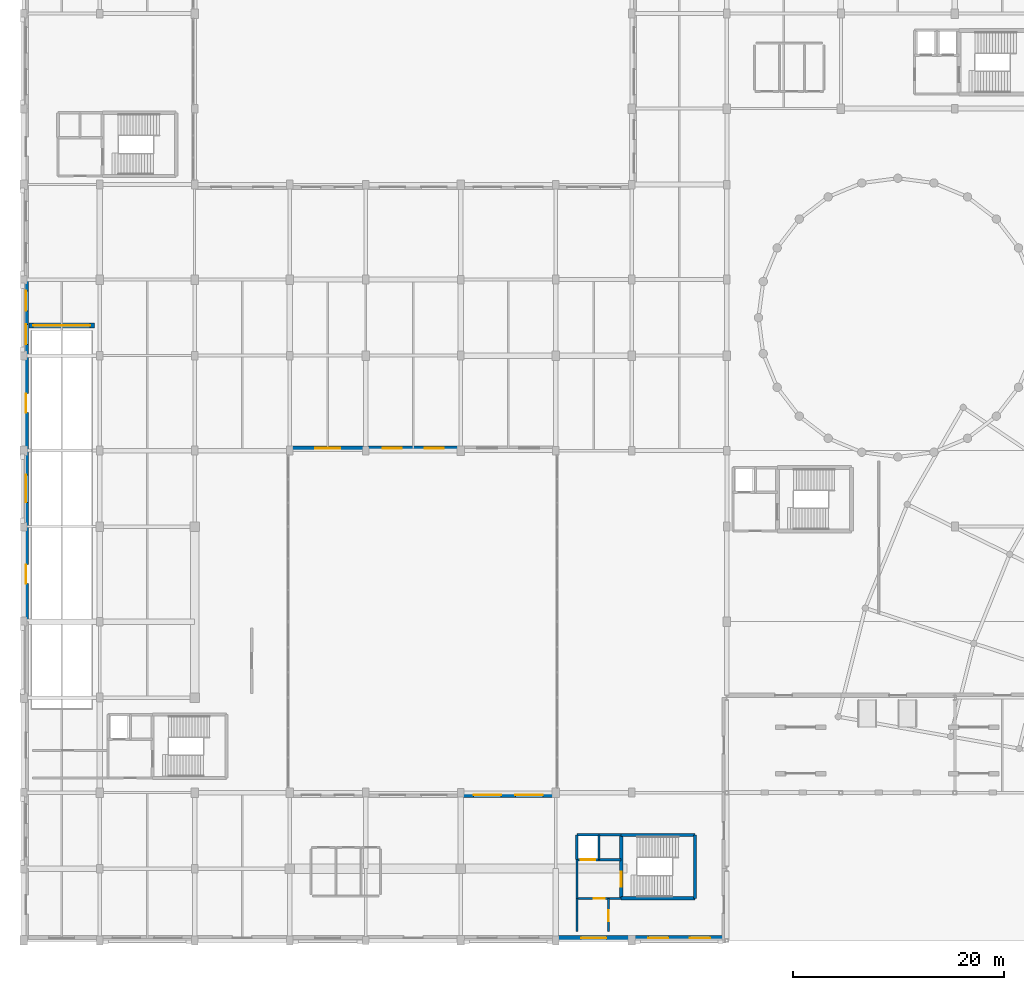
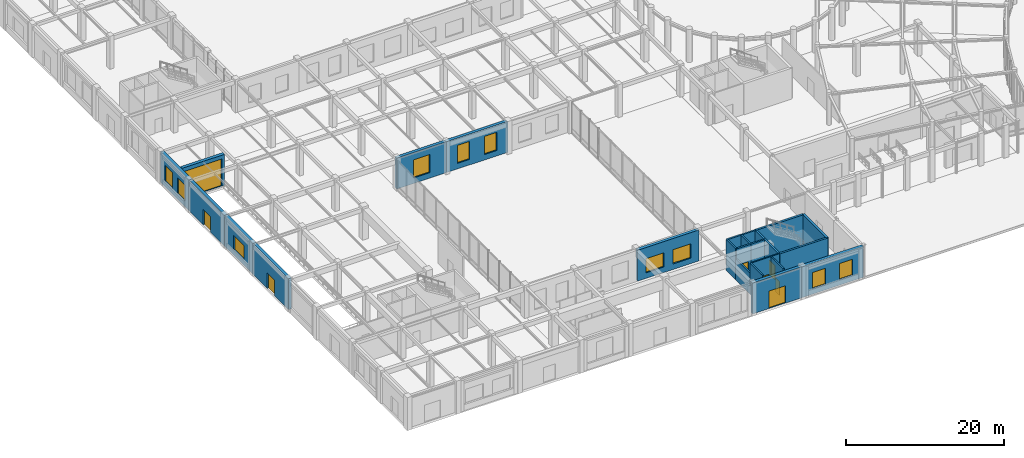
# One storey, part 46 of 64: 23 walls, 10 windows, 8 doors, 18 openings.
"""IFC4 building model written with IfcOpenShell, lengths in metres."""

from ifc_helpers import new_model, si_unit, direction, frame, frame_2d, origin, place, context, subcontext, project, spatial, rectangle, extrude, material, layer, layer_set, type_object, element, fill, save


model = new_model("IFC4")

# Units and contexts
model_context = context("Model", 3, precision=1e-05, world=origin(), true_north=direction((0.0, 1.0)))
body_context = subcontext(model_context, "Body", "Model", "MODEL_VIEW")
ifc_project = project(units=[si_unit("LENGTHUNIT", "METRE"), si_unit("AREAUNIT", "SQUARE_METRE"), si_unit("VOLUMEUNIT", "CUBIC_METRE"), si_unit("PLANEANGLEUNIT", "RADIAN"), si_unit("MASSUNIT", "GRAM", prefix="KILO")], contexts=[model_context])

# Site, building, storey
site_placement = place(None, origin())
site = spatial("IfcSite", under=ifc_project, at=site_placement, CompositionType="ELEMENT")
building_placement = place(site_placement, origin())
building = spatial("IfcBuilding", under=site, at=building_placement, Name="Clarverna Civic Hall", CompositionType="ELEMENT")
storey_placement = place(building_placement, origin())
storey = spatial("IfcBuildingStorey", under=building, at=storey_placement, Name="L00", CompositionType="ELEMENT", Elevation=0.0)

# Wall, opening, door
ifc_material_1 = material(Name="Precast concrete C40/50", Category="concrete")
ifc_layer_1 = layer(ifc_material_1, 0.449951171875)
ifc_layer_set_1 = layer_set([ifc_layer_1], Name="Precast concrete C40/50")
wall_type_1 = type_object("IfcWallType", Name="EW-01", PredefinedType="SOLIDWALL", material=ifc_layer_set_1)
wall_1_placement = place(storey_placement, frame((0.22509765625, 30.199951171875, 0.0), z_axis=(0.0, 0.0, 1.0), x_axis=(0.0, 1.0, 0.0)))
wall_1 = element("IfcWall", 1, at=wall_1_placement, inside=storey, type_object=wall_type_1, Name="EW-01-005", PredefinedType="SOLIDWALL", context=body_context, shape_type="SweptSolid", body=[
    extrude(rectangle(XDim=9.0, YDim=0.449951171875, at=frame_2d((4.5, 0.0))), origin(), (0.0, 0.0, 1.0), 4.780029296875),
])
opening_1_placement = place(wall_1_placement, frame((3.60009765625, 0.0, 0.0)))
opening_1 = element("IfcOpeningElement", 2, at=opening_1_placement, cuts=wall_1, Name="Opening ED-02", PredefinedType="OPENING", context=body_context, shape_type="SweptSolid", body=[
    extrude(rectangle(XDim=1.800048828125, YDim=2.39990234375, at=frame_2d((0.89990234375, 1.199951171875))), frame((0.0, 0.23486328125, 0.0), z_axis=(0.0, -1.0, 0.0), x_axis=(1.0, 0.0, 0.0)), (0.0, 0.0, 1.0), 0.469970703125),
])
ifc_material_2 = material(Name="Anodised Bronze Glazed Door")
door_type_1 = type_object("IfcDoorType", Name="ED-02", OperationType="DOUBLE_DOOR_SINGLE_SWING", PredefinedType="DOOR", material=ifc_material_2)
door_1_placement = place(opening_1_placement, origin())
door_1 = element("IfcDoor", 3, at=door_1_placement, inside=storey, type_object=door_type_1, Name="ED-02-002", OperationType="DOUBLE_DOOR_SINGLE_SWING", OverallHeight=2.39990234375, OverallWidth=1.800048828125, PredefinedType="DOOR", context=body_context, shape_type="SweptSolid", body=[
    extrude(rectangle(XDim=1.800048828125, YDim=2.39990234375, at=frame_2d((0.89990234375, 1.199951171875))), frame((0.0, 0.02490234375, 0.0), z_axis=(0.0, -1.0, 0.0), x_axis=(1.0, 0.0, 0.0)), (0.0, 0.0, 1.0), 0.050048828125),
])
fill(opening_1, door_1)

# Wall, opening, window
wall_2_placement = place(storey_placement, frame((0.22509765625, 39.199951171875, 0.0), z_axis=(0.0, 0.0, 1.0), x_axis=(0.0, 1.0, 0.0)))
wall_2 = element("IfcWall", 4, at=wall_2_placement, inside=storey, type_object=wall_type_1, Name="EW-01-006", PredefinedType="SOLIDWALL", context=body_context, shape_type="SweptSolid", body=[
    extrude(rectangle(XDim=7.199951171875, YDim=0.449951171875, at=frame_2d((3.60009765625, 0.0))), origin(), (0.0, 0.0, 1.0), 4.780029296875),
])
opening_2_placement = place(wall_2_placement, frame((2.300048828125, 0.0, 0.85009765625)))
opening_2 = element("IfcOpeningElement", 5, at=opening_2_placement, cuts=wall_2, Name="Opening WN-18", PredefinedType="OPENING", context=body_context, shape_type="SweptSolid", body=[
    extrude(rectangle(XDim=2.60009765625, YDim=2.199951171875, at=frame_2d((1.300048828125, 1.10009765625))), frame((0.0, 0.23486328125, 0.0), z_axis=(0.0, -1.0, 0.0), x_axis=(1.0, 0.0, 0.0)), (0.0, 0.0, 1.0), 0.469970703125),
])
ifc_material_3 = material(Name="Solar-Control Argon Low-E Double Glazing", Category="glass")
window_type_1 = type_object("IfcWindowType", Name="WN-18", PartitioningType="TRIPLE_PANEL_VERTICAL", PredefinedType="WINDOW", material=ifc_material_3)
window_1_placement = place(opening_2_placement, origin())
window_1 = element("IfcWindow", 6, at=window_1_placement, inside=storey, type_object=window_type_1, Name="WN-18-001", OverallHeight=2.199951171875, OverallWidth=2.60009765625, PartitioningType="TRIPLE_PANEL_VERTICAL", PredefinedType="WINDOW", context=body_context, shape_type="SweptSolid", body=[
    extrude(rectangle(XDim=2.60009765625, YDim=2.199951171875, at=frame_2d((1.300048828125, 1.10009765625))), frame((0.0, 0.030029296875, 0.0), z_axis=(0.0, -1.0, 0.0), x_axis=(1.0, 0.0, 0.0)), (0.0, 0.0, 1.0), 0.06005859375),
])
fill(opening_2, window_1)

# Wall, opening, door
wall_3_placement = place(storey_placement, frame((0.22509765625, 46.39990234375, 0.0), z_axis=(0.0, 0.0, 1.0), x_axis=(0.0, 1.0, 0.0)))
wall_3 = element("IfcWall", 7, at=wall_3_placement, inside=storey, type_object=wall_type_1, Name="EW-01-007", PredefinedType="SOLIDWALL", context=body_context, shape_type="SweptSolid", body=[
    extrude(rectangle(XDim=9.0, YDim=0.449951171875, at=frame_2d((4.5, 0.0))), origin(), (0.0, 0.0, 1.0), 4.780029296875),
])
opening_3_placement = place(wall_3_placement, frame((3.60009765625, 0.0, 0.0)))
opening_3 = element("IfcOpeningElement", 8, at=opening_3_placement, cuts=wall_3, Name="Opening ED-02", PredefinedType="OPENING", context=body_context, shape_type="SweptSolid", body=[
    extrude(rectangle(XDim=1.800048828125, YDim=2.39990234375, at=frame_2d((0.89990234375, 1.199951171875))), frame((0.0, 0.23486328125, 0.0), z_axis=(0.0, -1.0, 0.0), x_axis=(1.0, 0.0, 0.0)), (0.0, 0.0, 1.0), 0.469970703125),
])
door_2_placement = place(opening_3_placement, origin())
door_2 = element("IfcDoor", 9, at=door_2_placement, inside=storey, type_object=door_type_1, Name="ED-02-003", OperationType="DOUBLE_DOOR_SINGLE_SWING", OverallHeight=2.39990234375, OverallWidth=1.800048828125, PredefinedType="DOOR", context=body_context, shape_type="SweptSolid", body=[
    extrude(rectangle(XDim=1.800048828125, YDim=2.39990234375, at=frame_2d((0.89990234375, 1.199951171875))), frame((0.0, 0.02490234375, 0.0), z_axis=(0.0, -1.0, 0.0), x_axis=(1.0, 0.0, 0.0)), (0.0, 0.0, 1.0), 0.050048828125),
])
fill(opening_3, door_2)

# Wall, openings, windows
wall_4_placement = place(storey_placement, frame((0.22509765625, 55.39990234375, 0.0), z_axis=(0.0, 0.0, 1.0), x_axis=(0.0, 1.0, 0.0)))
wall_4 = element("IfcWall", 10, at=wall_4_placement, inside=storey, type_object=wall_type_1, Name="EW-01-008", PredefinedType="SOLIDWALL", context=body_context, shape_type="SweptSolid", body=[
    extrude(rectangle(XDim=7.2001953125, YDim=0.449951171875, at=frame_2d((3.60009765625, 0.0))), origin(), (0.0, 0.0, 1.0), 4.780029296875),
])
opening_4_placement = place(wall_4_placement, frame((1.06591796875, 0.0, 0.85009765625)))
opening_4 = element("IfcOpeningElement", 11, at=opening_4_placement, cuts=wall_4, Name="Opening WN-30", PredefinedType="OPENING", context=body_context, shape_type="SweptSolid", body=[
    extrude(rectangle(XDim=1.89990234375, YDim=2.5, at=frame_2d((0.949951171875, 1.25))), frame((0.0, 0.23486328125, 0.0), z_axis=(0.0, -1.0, 0.0), x_axis=(1.0, 0.0, 0.0)), (0.0, 0.0, 1.0), 0.469970703125),
])
opening_5_placement = place(wall_4_placement, frame((4.23388671875, 0.0, 0.85009765625)))
opening_5 = element("IfcOpeningElement", 12, at=opening_5_placement, cuts=wall_4, Name="Opening WN-30", PredefinedType="OPENING", context=body_context, shape_type="SweptSolid", body=[
    extrude(rectangle(XDim=1.89990234375, YDim=2.5, at=frame_2d((0.949951171875, 1.25))), frame((0.0, 0.23486328125, 0.0), z_axis=(0.0, -1.0, 0.0), x_axis=(1.0, 0.0, 0.0)), (0.0, 0.0, 1.0), 0.469970703125),
])
window_type_2 = type_object("IfcWindowType", Name="WN-30", PartitioningType="DOUBLE_PANEL_VERTICAL", PredefinedType="WINDOW", material=ifc_material_3)
window_2_placement = place(opening_4_placement, origin())
window_2 = element("IfcWindow", 13, at=window_2_placement, inside=storey, type_object=window_type_2, Name="WN-30-001", OverallHeight=2.5, OverallWidth=1.89990234375, PartitioningType="DOUBLE_PANEL_VERTICAL", PredefinedType="WINDOW", context=body_context, shape_type="SweptSolid", body=[
    extrude(rectangle(XDim=1.89990234375, YDim=2.5, at=frame_2d((0.949951171875, 1.25))), frame((0.0, 0.030029296875, 0.0), z_axis=(0.0, -1.0, 0.0), x_axis=(1.0, 0.0, 0.0)), (0.0, 0.0, 1.0), 0.06005859375),
])
fill(opening_4, window_2)
window_3_placement = place(opening_5_placement, origin())
window_3 = element("IfcWindow", 14, at=window_3_placement, inside=storey, type_object=window_type_2, Name="WN-30-002", OverallHeight=2.5, OverallWidth=1.89990234375, PartitioningType="DOUBLE_PANEL_VERTICAL", PredefinedType="WINDOW", context=body_context, shape_type="SweptSolid", body=[
    extrude(rectangle(XDim=1.89990234375, YDim=2.5, at=frame_2d((0.949951171875, 1.25))), frame((0.0, 0.030029296875, 0.0), z_axis=(0.0, -1.0, 0.0), x_axis=(1.0, 0.0, 0.0)), (0.0, 0.0, 1.0), 0.06005859375),
])
fill(opening_5, window_3)

wall_5_placement = place(storey_placement, frame((66.574951171875, 0.22509765625, 0.0), z_axis=(0.0, 0.0, 1.0), x_axis=(-1.0, 0.0, 0.0)))
wall_5 = element("IfcWall", 15, at=wall_5_placement, inside=storey, type_object=wall_type_1, Name="EW-01-078", PredefinedType="SOLIDWALL", context=body_context, shape_type="SweptSolid", body=[
    extrude(rectangle(XDim=8.974853515625, YDim=0.449951171875, at=frame_2d((4.4873046875, 0.0))), origin(), (0.0, 0.0, 1.0), 4.780029296875),
])
opening_6_placement = place(wall_5_placement, frame((1.56298828125, 0.0, 0.85009765625)))
opening_6 = element("IfcOpeningElement", 16, at=opening_6_placement, cuts=wall_5, Name="Opening WN-30", PredefinedType="OPENING", context=body_context, shape_type="SweptSolid", body=[
    extrude(rectangle(XDim=1.89990234375, YDim=2.5, at=frame_2d((0.949951171875, 1.25))), frame((0.0, 0.23486328125, 0.0), z_axis=(0.0, -1.0, 0.0), x_axis=(1.0, 0.0, 0.0)), (0.0, 0.0, 1.0), 0.469970703125),
])
opening_7_placement = place(wall_5_placement, frame((5.511962890625, 0.0, 0.85009765625)))
opening_7 = element("IfcOpeningElement", 17, at=opening_7_placement, cuts=wall_5, Name="Opening WN-30", PredefinedType="OPENING", context=body_context, shape_type="SweptSolid", body=[
    extrude(rectangle(XDim=1.89990234375, YDim=2.5, at=frame_2d((0.949951171875, 1.25))), frame((0.0, 0.23486328125, 0.0), z_axis=(0.0, -1.0, 0.0), x_axis=(1.0, 0.0, 0.0)), (0.0, 0.0, 1.0), 0.469970703125),
])
window_4_placement = place(opening_6_placement, origin())
window_4 = element("IfcWindow", 18, at=window_4_placement, inside=storey, type_object=window_type_2, Name="WN-30-016", OverallHeight=2.5, OverallWidth=1.89990234375, PartitioningType="DOUBLE_PANEL_VERTICAL", PredefinedType="WINDOW", context=body_context, shape_type="SweptSolid", body=[
    extrude(rectangle(XDim=1.89990234375, YDim=2.5, at=frame_2d((0.949951171875, 1.25))), frame((0.0, 0.030029296875, 0.0), z_axis=(0.0, -1.0, 0.0), x_axis=(1.0, 0.0, 0.0)), (0.0, 0.0, 1.0), 0.06005859375),
])
fill(opening_6, window_4)
window_5_placement = place(opening_7_placement, origin())
window_5 = element("IfcWindow", 19, at=window_5_placement, inside=storey, type_object=window_type_2, Name="WN-30-017", OverallHeight=2.5, OverallWidth=1.89990234375, PartitioningType="DOUBLE_PANEL_VERTICAL", PredefinedType="WINDOW", context=body_context, shape_type="SweptSolid", body=[
    extrude(rectangle(XDim=1.89990234375, YDim=2.5, at=frame_2d((0.949951171875, 1.25))), frame((0.0, 0.030029296875, 0.0), z_axis=(0.0, -1.0, 0.0), x_axis=(1.0, 0.0, 0.0)), (0.0, 0.0, 1.0), 0.06005859375),
])
fill(opening_7, window_5)

# Wall, opening, door
wall_6_placement = place(storey_placement, frame((57.60009765625, 0.22509765625, 0.0), z_axis=(0.0, 0.0, 1.0), x_axis=(-1.0, 0.0, 0.0)))
wall_6 = element("IfcWall", 20, at=wall_6_placement, inside=storey, type_object=wall_type_1, Name="EW-01-079", PredefinedType="SOLIDWALL", context=body_context, shape_type="SweptSolid", body=[
    extrude(rectangle(XDim=7.2001953125, YDim=0.449951171875, at=frame_2d((3.60009765625, 0.0))), origin(), (0.0, 0.0, 1.0), 4.780029296875),
])
opening_8_placement = place(wall_6_placement, frame((2.39990234375, 0.0, 0.0)))
opening_8 = element("IfcOpeningElement", 21, at=opening_8_placement, cuts=wall_6, Name="Opening ED-01", PredefinedType="OPENING", context=body_context, shape_type="SweptSolid", body=[
    extrude(rectangle(XDim=2.39990234375, YDim=2.699951171875, at=frame_2d((1.199951171875, 1.35009765625))), frame((0.0, 0.23486328125, 0.0), z_axis=(0.0, -1.0, 0.0), x_axis=(1.0, 0.0, 0.0)), (0.0, 0.0, 1.0), 0.469970703125),
])
door_type_2 = type_object("IfcDoorType", Name="ED-01", OperationType="DOUBLE_DOOR_SINGLE_SWING", PredefinedType="DOOR", material=ifc_material_2)
door_3_placement = place(opening_8_placement, origin())
door_3 = element("IfcDoor", 22, at=door_3_placement, inside=storey, type_object=door_type_2, Name="ED-01-015", OperationType="DOUBLE_DOOR_SINGLE_SWING", OverallHeight=2.699951171875, OverallWidth=2.39990234375, PredefinedType="DOOR", context=body_context, shape_type="SweptSolid", body=[
    extrude(rectangle(XDim=2.39990234375, YDim=2.699951171875, at=frame_2d((1.199951171875, 1.35009765625))), frame((0.0, 0.02490234375, 0.0), z_axis=(0.0, -1.0, 0.0), x_axis=(1.0, 0.0, 0.0)), (0.0, 0.0, 1.0), 0.050048828125),
])
fill(opening_8, door_3)

# Wall, openings, windows
wall_7_placement = place(storey_placement, frame((41.39990234375, 13.77490234375, 0.0), z_axis=(0.0, 0.0, 1.0), x_axis=(1.0, 0.0, 0.0)))
wall_7 = element("IfcWall", 23, at=wall_7_placement, inside=storey, type_object=wall_type_1, Name="EW-01-097", PredefinedType="SOLIDWALL", context=body_context, shape_type="SweptSolid", body=[
    extrude(rectangle(XDim=9.0, YDim=0.449951171875, at=frame_2d((4.5, 0.0))), origin(), (0.0, 0.0, 1.0), 4.780029296875),
])
opening_9_placement = place(wall_7_placement, frame((1.219970703125, 0.0, 0.85009765625)))
opening_9 = element("IfcOpeningElement", 24, at=opening_9_placement, cuts=wall_7, Name="Opening WN-18", PredefinedType="OPENING", context=body_context, shape_type="SweptSolid", body=[
    extrude(rectangle(XDim=2.60009765625, YDim=2.199951171875, at=frame_2d((1.300048828125, 1.10009765625))), frame((0.0, 0.23486328125, 0.0), z_axis=(0.0, -1.0, 0.0), x_axis=(1.0, 0.0, 0.0)), (0.0, 0.0, 1.0), 0.469970703125),
])
opening_10_placement = place(wall_7_placement, frame((5.179931640625, 0.0, 0.85009765625)))
opening_10 = element("IfcOpeningElement", 25, at=opening_10_placement, cuts=wall_7, Name="Opening WN-18", PredefinedType="OPENING", context=body_context, shape_type="SweptSolid", body=[
    extrude(rectangle(XDim=2.60009765625, YDim=2.199951171875, at=frame_2d((1.300048828125, 1.10009765625))), frame((0.0, 0.23486328125, 0.0), z_axis=(0.0, -1.0, 0.0), x_axis=(1.0, 0.0, 0.0)), (0.0, 0.0, 1.0), 0.469970703125),
])
window_6_placement = place(opening_9_placement, origin())
window_6 = element("IfcWindow", 26, at=window_6_placement, inside=storey, type_object=window_type_1, Name="WN-18-013", OverallHeight=2.199951171875, OverallWidth=2.60009765625, PartitioningType="TRIPLE_PANEL_VERTICAL", PredefinedType="WINDOW", context=body_context, shape_type="SweptSolid", body=[
    extrude(rectangle(XDim=2.60009765625, YDim=2.199951171875, at=frame_2d((1.300048828125, 1.10009765625))), frame((0.0, 0.030029296875, 0.0), z_axis=(0.0, -1.0, 0.0), x_axis=(1.0, 0.0, 0.0)), (0.0, 0.0, 1.0), 0.06005859375),
])
fill(opening_9, window_6)
window_7_placement = place(opening_10_placement, origin())
window_7 = element("IfcWindow", 27, at=window_7_placement, inside=storey, type_object=window_type_1, Name="WN-18-014", OverallHeight=2.199951171875, OverallWidth=2.60009765625, PartitioningType="TRIPLE_PANEL_VERTICAL", PredefinedType="WINDOW", context=body_context, shape_type="SweptSolid", body=[
    extrude(rectangle(XDim=2.60009765625, YDim=2.199951171875, at=frame_2d((1.300048828125, 1.10009765625))), frame((0.0, 0.030029296875, 0.0), z_axis=(0.0, -1.0, 0.0), x_axis=(1.0, 0.0, 0.0)), (0.0, 0.0, 1.0), 0.06005859375),
])
fill(opening_10, window_7)

wall_8_placement = place(storey_placement, frame((41.39990234375, 46.625, 0.0), z_axis=(0.0, 0.0, 1.0), x_axis=(-1.0, 0.0, 0.0)))
wall_8 = element("IfcWall", 28, at=wall_8_placement, inside=storey, type_object=wall_type_1, Name="EW-01-099", PredefinedType="SOLIDWALL", context=body_context, shape_type="SweptSolid", body=[
    extrude(rectangle(XDim=9.0, YDim=0.449951171875, at=frame_2d((4.5, 0.0))), origin(), (0.0, 0.0, 1.0), 4.780029296875),
])
opening_11_placement = place(wall_8_placement, frame((1.6201171875, 0.0, 0.85009765625)))
opening_11 = element("IfcOpeningElement", 29, at=opening_11_placement, cuts=wall_8, Name="Opening WN-01", PredefinedType="OPENING", context=body_context, shape_type="SweptSolid", body=[
    extrude(rectangle(XDim=1.800048828125, YDim=2.800048828125, at=frame_2d((0.89990234375, 1.39990234375))), frame((0.0, 0.23486328125, 0.0), z_axis=(0.0, -1.0, 0.0), x_axis=(1.0, 0.0, 0.0)), (0.0, 0.0, 1.0), 0.469970703125),
])
opening_12_placement = place(wall_8_placement, frame((5.580078125, 0.0, 0.85009765625)))
opening_12 = element("IfcOpeningElement", 30, at=opening_12_placement, cuts=wall_8, Name="Opening WN-01", PredefinedType="OPENING", context=body_context, shape_type="SweptSolid", body=[
    extrude(rectangle(XDim=1.800048828125, YDim=2.800048828125, at=frame_2d((0.89990234375, 1.39990234375))), frame((0.0, 0.23486328125, 0.0), z_axis=(0.0, -1.0, 0.0), x_axis=(1.0, 0.0, 0.0)), (0.0, 0.0, 1.0), 0.469970703125),
])
window_type_3 = type_object("IfcWindowType", Name="WN-01", PartitioningType="DOUBLE_PANEL_VERTICAL", PredefinedType="WINDOW", material=ifc_material_3)
window_8_placement = place(opening_11_placement, origin())
window_8 = element("IfcWindow", 31, at=window_8_placement, inside=storey, type_object=window_type_3, Name="WN-01-026", OverallHeight=2.800048828125, OverallWidth=1.800048828125, PartitioningType="DOUBLE_PANEL_VERTICAL", PredefinedType="WINDOW", context=body_context, shape_type="SweptSolid", body=[
    extrude(rectangle(XDim=1.800048828125, YDim=2.800048828125, at=frame_2d((0.89990234375, 1.39990234375))), frame((0.0, 0.030029296875, 0.0), z_axis=(0.0, -1.0, 0.0), x_axis=(1.0, 0.0, 0.0)), (0.0, 0.0, 1.0), 0.06005859375),
])
fill(opening_11, window_8)
window_9_placement = place(opening_12_placement, origin())
window_9 = element("IfcWindow", 32, at=window_9_placement, inside=storey, type_object=window_type_3, Name="WN-01-027", OverallHeight=2.800048828125, OverallWidth=1.800048828125, PartitioningType="DOUBLE_PANEL_VERTICAL", PredefinedType="WINDOW", context=body_context, shape_type="SweptSolid", body=[
    extrude(rectangle(XDim=1.800048828125, YDim=2.800048828125, at=frame_2d((0.89990234375, 1.39990234375))), frame((0.0, 0.030029296875, 0.0), z_axis=(0.0, -1.0, 0.0), x_axis=(1.0, 0.0, 0.0)), (0.0, 0.0, 1.0), 0.06005859375),
])
fill(opening_12, window_9)

# Wall, opening, window
wall_9_placement = place(storey_placement, frame((32.39990234375, 46.625, 0.0), z_axis=(0.0, 0.0, 1.0), x_axis=(-1.0, 0.0, 0.0)))
wall_9 = element("IfcWall", 33, at=wall_9_placement, inside=storey, type_object=wall_type_1, Name="EW-01-100", PredefinedType="SOLIDWALL", context=body_context, shape_type="SweptSolid", body=[
    extrude(rectangle(XDim=7.199951171875, YDim=0.449951171875, at=frame_2d((3.60009765625, 0.0))), origin(), (0.0, 0.0, 1.0), 4.780029296875),
])
opening_13_placement = place(wall_9_placement, frame((2.39990234375, 0.0, 0.85009765625)))
opening_13 = element("IfcOpeningElement", 34, at=opening_13_placement, cuts=wall_9, Name="Opening WN-02", PredefinedType="OPENING", context=body_context, shape_type="SweptSolid", body=[
    extrude(rectangle(XDim=2.39990234375, YDim=2.800048828125, at=frame_2d((1.199951171875, 1.39990234375))), frame((0.0, 0.23486328125, 0.0), z_axis=(0.0, -1.0, 0.0), x_axis=(1.0, 0.0, 0.0)), (0.0, 0.0, 1.0), 0.469970703125),
])
window_type_4 = type_object("IfcWindowType", Name="WN-02", PartitioningType="TRIPLE_PANEL_VERTICAL", PredefinedType="WINDOW", material=ifc_material_3)
window_10_placement = place(opening_13_placement, origin())
window_10 = element("IfcWindow", 35, at=window_10_placement, inside=storey, type_object=window_type_4, Name="WN-02-020", OverallHeight=2.800048828125, OverallWidth=2.39990234375, PartitioningType="TRIPLE_PANEL_VERTICAL", PredefinedType="WINDOW", context=body_context, shape_type="SweptSolid", body=[
    extrude(rectangle(XDim=2.39990234375, YDim=2.800048828125, at=frame_2d((1.199951171875, 1.39990234375))), frame((0.0, 0.030029296875, 0.0), z_axis=(0.0, -1.0, 0.0), x_axis=(1.0, 0.0, 0.0)), (0.0, 0.0, 1.0), 0.06005859375),
])
fill(opening_13, window_10)

# Wall, opening, door
wall_10_placement = place(storey_placement, frame((0.5, 58.25, 0.0), z_axis=(0.0, 0.0, 1.0), x_axis=(1.0, 0.0, 0.0)))
wall_10 = element("IfcWall", 36, at=wall_10_placement, inside=storey, type_object=wall_type_1, Name="EW-01-101", PredefinedType="SOLIDWALL", context=body_context, shape_type="SweptSolid", body=[
    extrude(rectangle(XDim=6.199951171875, YDim=0.449951171875, at=frame_2d((3.10009765625, 0.0))), origin(), (0.0, 0.0, 1.0), 4.780029296875),
])
opening_14_placement = place(wall_10_placement, frame((0.39990234375, 0.0, 0.0)))
opening_14 = element("IfcOpeningElement", 37, at=opening_14_placement, cuts=wall_10, Name="Opening VG-01", PredefinedType="OPENING", context=body_context, shape_type="SweptSolid", body=[
    extrude(rectangle(XDim=5.39990234375, YDim=4.199951171875, at=frame_2d((2.699951171875, 2.10009765625))), frame((0.0, 0.23486328125, 0.0), z_axis=(0.0, -1.0, 0.0), x_axis=(1.0, 0.0, 0.0)), (0.0, 0.0, 1.0), 0.469970703125),
])
ifc_material_4 = material(Name="Insulated Powder-Coated Aluminium Shutter", Category="aluminium")
door_type_3 = type_object("IfcDoorType", Name="VG-01", OperationType="ROLLINGUP", PredefinedType="GATE", material=ifc_material_4)
door_4_placement = place(opening_14_placement, origin())
door_4 = element("IfcDoor", 38, at=door_4_placement, inside=storey, type_object=door_type_3, Name="VG-01-001", OperationType="ROLLINGUP", OverallHeight=4.199951171875, OverallWidth=5.39990234375, PredefinedType="GATE", context=body_context, shape_type="SweptSolid", body=[
    extrude(rectangle(XDim=5.39990234375, YDim=4.199951171875, at=frame_2d((2.699951171875, 2.10009765625))), frame((0.0, 0.02490234375, 0.0), z_axis=(0.0, -1.0, 0.0), x_axis=(1.0, 0.0, 0.0)), (0.0, 0.0, 1.0), 0.050048828125),
])
fill(opening_14, door_4)

# Wall
ifc_material_5 = material(Name="Acoustic Gypsum Plasterboard on Twin Frame", Category="gypsum")
ifc_layer_2 = layer(ifc_material_5, 0.18994140625)
ifc_layer_set_2 = layer_set([ifc_layer_2], Name="Acoustic Gypsum Plasterboard on Twin Frame")
wall_type_2 = type_object("IfcWallType", Name="PW-06", PredefinedType="PARTITIONING", material=ifc_layer_set_2)
wall_11_placement = place(storey_placement, frame((52.39990234375, 4.0, 0.0), z_axis=(0.0, 0.0, 1.0), x_axis=(0.0, 1.0, 0.0)))
element("IfcWall", 39, at=wall_11_placement, inside=storey, type_object=wall_type_2, Name="PW-06-071", PredefinedType="PARTITIONING", context=body_context, shape_type="SweptSolid", body=[
    extrude(rectangle(XDim=3.64990234375, YDim=0.18994140625, at=frame_2d((1.824951171875, 0.0))), origin(), (0.0, 0.0, 1.0), 3.22998046875),
])

# Wall, opening, door
wall_12_placement = place(storey_placement, frame((52.39990234375, 4.0, 0.0), z_axis=(0.0, 0.0, 1.0), x_axis=(1.0, 0.0, 0.0)))
wall_12 = element("IfcWall", 40, at=wall_12_placement, inside=storey, type_object=wall_type_2, Name="PW-06-072", PredefinedType="PARTITIONING", context=body_context, shape_type="SweptSolid", body=[
    extrude(rectangle(XDim=4.2001953125, YDim=0.18994140625, at=frame_2d((2.10009765625, 0.0))), origin(), (0.0, 0.0, 1.0), 4.780029296875),
])
opening_15_placement = place(wall_12_placement, frame((1.574951171875, 0.0, 0.0)))
opening_15 = element("IfcOpeningElement", 41, at=opening_15_placement, cuts=wall_12, Name="Opening FD-02", PredefinedType="OPENING", context=body_context, shape_type="SweptSolid", body=[
    extrude(rectangle(XDim=1.050048828125, YDim=2.14990234375, at=frame_2d((0.52490234375, 1.074951171875))), frame((0.0, 0.10498046875, 0.0), z_axis=(0.0, -1.0, 0.0), x_axis=(1.0, 0.0, 0.0)), (0.0, 0.0, 1.0), 0.2099609375),
])
ifc_material_6 = material(Name="Acoustic Timber-Faced Fire Door", Category="wood")
door_type_4 = type_object("IfcDoorType", Name="FD-02", OperationType="NOTDEFINED", PredefinedType="DOOR", material=ifc_material_6)
door_5_placement = place(opening_15_placement, origin())
door_5 = element("IfcDoor", 42, at=door_5_placement, inside=storey, type_object=door_type_4, Name="FD-02-066", OperationType="SINGLE_SWING_RIGHT", OverallHeight=2.14990234375, OverallWidth=1.050048828125, PredefinedType="DOOR", context=body_context, shape_type="SweptSolid", body=[
    extrude(rectangle(XDim=1.050048828125, YDim=2.14990234375, at=frame_2d((0.52490234375, 1.074951171875))), frame((0.0, 0.02490234375, 0.0), z_axis=(0.0, -1.0, 0.0), x_axis=(1.0, 0.0, 0.0)), (0.0, 0.0, 1.0), 0.050048828125),
])
fill(opening_15, door_5)

# Wall
wall_13_placement = place(storey_placement, frame((52.39990234375, 0.85009765625, 0.0), z_axis=(0.0, 0.0, 1.0), x_axis=(0.0, 1.0, 0.0)))
element("IfcWall", 43, at=wall_13_placement, inside=storey, type_object=wall_type_2, Name="PW-06-129", PredefinedType="PARTITIONING", context=body_context, shape_type="SweptSolid", body=[
    extrude(rectangle(XDim=3.14990234375, YDim=0.18994140625, at=frame_2d((1.574951171875, 0.0))), origin(), (0.0, 0.0, 1.0), 4.780029296875),
])

# Wall, opening, door
wall_14_placement = place(storey_placement, frame((55.39990234375, 0.85009765625, 0.0), z_axis=(0.0, 0.0, 1.0), x_axis=(0.0, 1.0, 0.0)))
wall_14 = element("IfcWall", 44, at=wall_14_placement, inside=storey, type_object=wall_type_2, Name="PW-06-130", PredefinedType="PARTITIONING", context=body_context, shape_type="SweptSolid", body=[
    extrude(rectangle(XDim=3.14990234375, YDim=0.18994140625, at=frame_2d((1.574951171875, 0.0))), origin(), (0.0, 0.0, 1.0), 4.780029296875),
])
opening_16_placement = place(wall_14_placement, frame((0.949951171875, 0.0, 0.0)))
opening_16 = element("IfcOpeningElement", 45, at=opening_16_placement, cuts=wall_14, Name="Opening FD-02", PredefinedType="OPENING", context=body_context, shape_type="SweptSolid", body=[
    extrude(rectangle(XDim=1.050048828125, YDim=2.14990234375, at=frame_2d((0.52490234375, 1.074951171875))), frame((0.0, 0.10498046875, 0.0), z_axis=(0.0, -1.0, 0.0), x_axis=(1.0, 0.0, 0.0)), (0.0, 0.0, 1.0), 0.2099609375),
])
door_6_placement = place(opening_16_placement, origin())
door_6 = element("IfcDoor", 46, at=door_6_placement, inside=storey, type_object=door_type_4, Name="FD-02-117", OperationType="SINGLE_SWING_LEFT", OverallHeight=2.14990234375, OverallWidth=1.050048828125, PredefinedType="DOOR", context=body_context, shape_type="SweptSolid", body=[
    extrude(rectangle(XDim=1.050048828125, YDim=2.14990234375, at=frame_2d((0.52490234375, 1.074951171875))), frame((0.0, 0.02490234375, 0.0), z_axis=(0.0, -1.0, 0.0), x_axis=(1.0, 0.0, 0.0)), (0.0, 0.0, 1.0), 0.050048828125),
])
fill(opening_16, door_6)

ifc_material_7 = material(Name="Concrete C35/45", Category="concrete")
ifc_layer_3 = layer(ifc_material_7, 0.300048828125)
ifc_layer_set_3 = layer_set([ifc_layer_3], Name="Concrete C35/45")
wall_type_3 = type_object("IfcWallType", Name="SW-03", PredefinedType="SHEAR", material=ifc_layer_set_3)
wall_15_placement = place(storey_placement, frame((56.60009765625, 4.0, 0.0), z_axis=(0.0, 0.0, 1.0), x_axis=(0.0, 1.0, 0.0)))
wall_15 = element("IfcWall", 47, at=wall_15_placement, inside=storey, type_object=wall_type_3, Name="SW-03-064", PredefinedType="SHEAR", context=body_context, shape_type="SweptSolid", body=[
    extrude(rectangle(XDim=6.0, YDim=0.300048828125, at=frame_2d((3.0, 0.0))), origin(), (0.0, 0.0, 1.0), 4.780029296875),
])
opening_17_placement = place(wall_15_placement, frame((1.074951171875, 0.0, 0.0)))
opening_17 = element("IfcOpeningElement", 48, at=opening_17_placement, cuts=wall_15, Name="Opening FD-01", PredefinedType="OPENING", context=body_context, shape_type="SweptSolid", body=[
    extrude(rectangle(XDim=1.449951171875, YDim=2.199951171875, at=frame_2d((0.72509765625, 1.10009765625))), frame((0.0, 0.159912109375, 0.0), z_axis=(0.0, -1.0, 0.0), x_axis=(1.0, 0.0, 0.0)), (0.0, 0.0, 1.0), 0.320068359375),
])
door_type_5 = type_object("IfcDoorType", Name="FD-01", OperationType="DOUBLE_DOOR_SINGLE_SWING", PredefinedType="DOOR", material=ifc_material_6)
door_7_placement = place(opening_17_placement, origin())
door_7 = element("IfcDoor", 49, at=door_7_placement, inside=storey, type_object=door_type_5, Name="FD-01-006", OperationType="DOUBLE_DOOR_SINGLE_SWING", OverallHeight=2.199951171875, OverallWidth=1.449951171875, PredefinedType="DOOR", context=body_context, shape_type="SweptSolid", body=[
    extrude(rectangle(XDim=1.449951171875, YDim=2.199951171875, at=frame_2d((0.72509765625, 1.10009765625))), frame((0.0, 0.02490234375, 0.0), z_axis=(0.0, -1.0, 0.0), x_axis=(1.0, 0.0, 0.0)), (0.0, 0.0, 1.0), 0.050048828125),
])
fill(opening_17, door_7)

# Walls
wall_16_placement = place(storey_placement, frame((63.60009765625, 4.0, 0.0), z_axis=(0.0, 0.0, 1.0), x_axis=(0.0, 1.0, 0.0)))
element("IfcWall", 50, at=wall_16_placement, inside=storey, type_object=wall_type_3, Name="SW-03-065", PredefinedType="SHEAR", context=body_context, shape_type="SweptSolid", body=[
    extrude(rectangle(XDim=6.0, YDim=0.300048828125, at=frame_2d((3.0, 0.0))), origin(), (0.0, 0.0, 1.0), 4.780029296875),
])
for number, where, z_axis, x_axis, name in (
    (51, (56.60009765625, 4.0, 0.0), (0.0, 0.0, 1.0), (1.0, 0.0, 0.0), "SW-03-066"),
    (52, (56.60009765625, 10.0, 0.0), (0.0, 0.0, 1.0), (1.0, 0.0, 0.0), "SW-03-067"),
):
    element("IfcWall", number, at=place(storey_placement, frame(where, z_axis=z_axis, x_axis=x_axis)), inside=storey, type_object=wall_type_3, Name=name, PredefinedType="SHEAR", context=body_context, shape_type="SweptSolid", body=[
        extrude(rectangle(XDim=7.0, YDim=0.300048828125, at=frame_2d((3.5, 0.0))), origin(), (0.0, 0.0, 1.0), 4.780029296875),
    ])
wall_17_placement = place(storey_placement, frame((52.39990234375, 10.0, 0.0), z_axis=(0.0, 0.0, 1.0), x_axis=(1.0, 0.0, 0.0)))
element("IfcWall", 53, at=wall_17_placement, inside=storey, type_object=wall_type_3, Name="SW-03-068", PredefinedType="SHEAR", context=body_context, shape_type="SweptSolid", body=[
    extrude(rectangle(XDim=4.2001953125, YDim=0.239990234375, at=frame_2d((2.10009765625, 0.0))), origin(), (0.0, 0.0, 1.0), 4.780029296875),
])
wall_18_placement = place(storey_placement, frame((52.39990234375, 7.64990234375, 0.0), z_axis=(0.0, 0.0, 1.0), x_axis=(0.0, 1.0, 0.0)))
element("IfcWall", 54, at=wall_18_placement, inside=storey, type_object=wall_type_3, Name="SW-03-069", PredefinedType="SHEAR", context=body_context, shape_type="SweptSolid", body=[
    extrude(rectangle(XDim=2.35009765625, YDim=0.239990234375, at=frame_2d((1.175048828125, 0.0))), origin(), (0.0, 0.0, 1.0), 4.780029296875),
])
wall_19_placement = place(storey_placement, frame((54.5, 7.64990234375, 0.0), z_axis=(0.0, 0.0, 1.0), x_axis=(0.0, 1.0, 0.0)))
element("IfcWall", 55, at=wall_19_placement, inside=storey, type_object=wall_type_3, Name="SW-03-070", PredefinedType="SHEAR", context=body_context, shape_type="SweptSolid", body=[
    extrude(rectangle(XDim=2.35009765625, YDim=0.199951171875, at=frame_2d((1.175048828125, 0.0))), origin(), (0.0, 0.0, 1.0), 4.780029296875),
])

# Wall, opening, door
wall_20_placement = place(storey_placement, frame((52.39990234375, 7.64990234375, 0.0), z_axis=(0.0, 0.0, 1.0), x_axis=(1.0, 0.0, 0.0)))
wall_20 = element("IfcWall", 56, at=wall_20_placement, inside=storey, type_object=wall_type_3, Name="SW-03-071", PredefinedType="SHEAR", context=body_context, shape_type="SweptSolid", body=[
    extrude(rectangle(XDim=2.10009765625, YDim=0.239990234375, at=frame_2d((1.050048828125, 0.0))), origin(), (0.0, 0.0, 1.0), 4.780029296875),
])
opening_18_placement = place(wall_20_placement, frame((0.375, 0.0, 0.0)))
opening_18 = element("IfcOpeningElement", 57, at=opening_18_placement, cuts=wall_20, Name="Opening LD-02", PredefinedType="OPENING", context=body_context, shape_type="SweptSolid", body=[
    extrude(rectangle(XDim=1.35009765625, YDim=2.199951171875, at=frame_2d((0.675048828125, 1.10009765625))), frame((0.0, 0.1298828125, 0.0), z_axis=(0.0, -1.0, 0.0), x_axis=(1.0, 0.0, 0.0)), (0.0, 0.0, 1.0), 0.260009765625),
])
ifc_material_8 = material(Name="Brushed Bronze Stainless Lift Landing Door")
door_type_6 = type_object("IfcDoorType", Name="LD-02", OperationType="SLIDING_TO_RIGHT", PredefinedType="DOOR", material=ifc_material_8)
door_8_placement = place(opening_18_placement, origin())
door_8 = element("IfcDoor", 58, at=door_8_placement, inside=storey, type_object=door_type_6, Name="LD-02-008", OperationType="SLIDING_TO_RIGHT", OverallHeight=2.199951171875, OverallWidth=1.35009765625, PredefinedType="DOOR", context=body_context, shape_type="SweptSolid", body=[
    extrude(rectangle(XDim=1.35009765625, YDim=2.199951171875, at=frame_2d((0.675048828125, 1.10009765625))), frame((0.0, 0.02490234375, 0.0), z_axis=(0.0, -1.0, 0.0), x_axis=(1.0, 0.0, 0.0)), (0.0, 0.0, 1.0), 0.050048828125),
])
fill(opening_18, door_8)

# Wall
wall_21_placement = place(storey_placement, frame((54.5, 7.64990234375, 0.0), z_axis=(0.0, 0.0, 1.0), x_axis=(1.0, 0.0, 0.0)))
element("IfcWall", 59, at=wall_21_placement, inside=storey, type_object=wall_type_3, Name="SW-03-072", PredefinedType="SHEAR", context=body_context, shape_type="SweptSolid", body=[
    extrude(rectangle(XDim=2.10009765625, YDim=0.239990234375, at=frame_2d((1.050048828125, 0.0))), origin(), (0.0, 0.0, 1.0), 4.780029296875),
])

save(model, "model.ifc")
